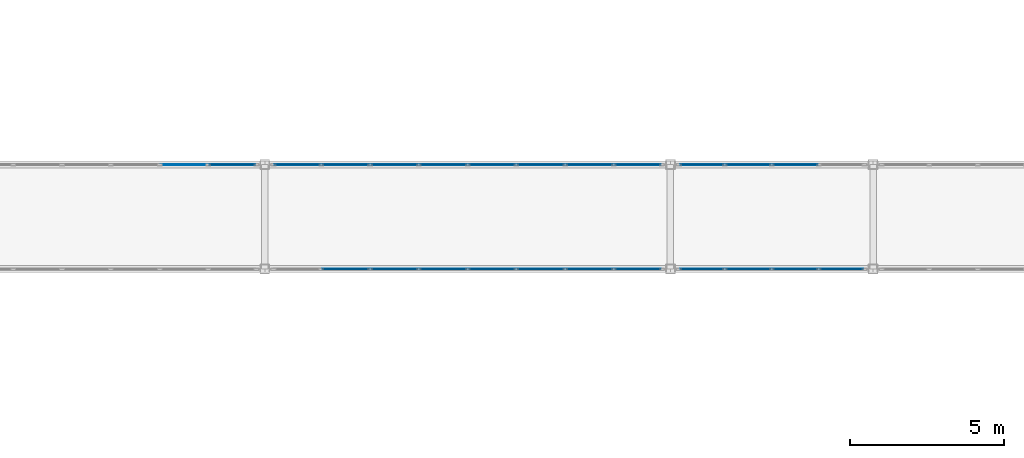
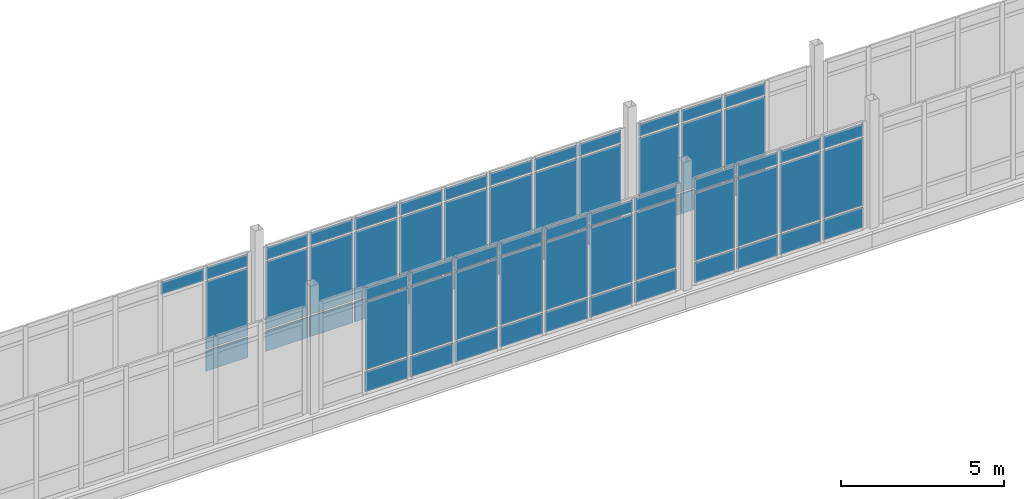
# One storey, part 71 of 125: 70 plates, 5 elements without a shape of their own.
"""IFC4 building model written with IfcOpenShell, lengths in metres."""

from ifc_helpers import new_model, si_unit, direction, frame, origin, origin_2d, place, context, subcontext, project, spatial, rectangle, extrude, material, layer, layer_set, type_object, element, aggregate, save


model = new_model("IFC4")

# Units and contexts
model_context = context("Model", 3, precision=1e-05, world=origin(), true_north=direction((0.0, 1.0)))
body_context = subcontext(model_context, "Body", "Model", "MODEL_VIEW")
ifc_project = project(units=[si_unit("LENGTHUNIT", "METRE"), si_unit("AREAUNIT", "SQUARE_METRE"), si_unit("VOLUMEUNIT", "CUBIC_METRE"), si_unit("PLANEANGLEUNIT", "RADIAN"), si_unit("MASSUNIT", "GRAM", prefix="KILO")], contexts=[model_context])

# Site, building, storey
site_placement = place(None, origin())
site = spatial("IfcSite", under=ifc_project, at=site_placement, CompositionType="ELEMENT")
building_placement = place(site_placement, origin())
building = spatial("IfcBuilding", under=site, at=building_placement, Name="Dornvale Research Institute", CompositionType="ELEMENT")
storey_placement = place(building_placement, frame((0.0, 0.0, 5.39990234375)))
storey = spatial("IfcBuildingStorey", under=building, at=storey_placement, Name="L01", CompositionType="ELEMENT", Elevation=5.39990234375)

# Curtain wall, plate
ifc_material_1 = material(Name="Low-E Argon Double Insulating Glazing Unit", Category="glass")
curtain_wall_type_1 = type_object("IfcCurtainWallType", Name="UnitisedCurtainWall_V2_12700x4000", PredefinedType="USERDEFINED", material=ifc_material_1)
curtain_wall_1_placement = place(storey_placement, origin())
curtain_wall_1 = element("IfcCurtainWall", 1, at=curtain_wall_1_placement, inside=storey, type_object=curtain_wall_type_1, Name="L01 V2 unitised curtain wall CW-42 #215", ObjectType="UNITISED CURTAIN WALL", PredefinedType="USERDEFINED")
ifc_material_2 = material(Name="Insulated Ceramic-Frit Spandrel Glass Panel", Category="glass")
ifc_layer_1 = layer(ifc_material_2, 0.0419921875)
ifc_layer_set_1 = layer_set([ifc_layer_1], Name="Insulated Ceramic-Frit Spandrel Glass Panel")
plate_type_1 = type_object("IfcPlateType", Name="CurtainPanel_Spandrel_42", PredefinedType="CURTAIN_PANEL", material=ifc_layer_set_1)
plate_1_placement = place(storey_placement, frame((84.739990234375, 116.5, 0.065185546875), z_axis=(0.0, 0.0, 1.0), x_axis=(1.0, 0.0, 0.0)))
plate_1 = element("IfcPlate", 2, at=plate_1_placement, type_object=plate_type_1, Name="CW-42 panel 8.1", PredefinedType="CURTAIN_PANEL", context=body_context, shape_type="SweptSolid", body=[
    extrude(rectangle(XDim=1.489990234375, YDim=0.0419921875, at=origin_2d()), origin(), (0.0, 0.0, 1.0), 0.75244140625),
])

# Curtain wall, plates
curtain_wall_2_placement = place(storey_placement, origin())
curtain_wall_2 = element("IfcCurtainWall", 3, at=curtain_wall_2_placement, inside=storey, type_object=curtain_wall_type_1, Name="L01 V2 unitised curtain wall CW-42 #217", ObjectType="UNITISED CURTAIN WALL", PredefinedType="USERDEFINED")
plate_2_placement = place(storey_placement, frame((86.860107421875, 116.5, 0.065185546875), z_axis=(0.0, 0.0, 1.0), x_axis=(1.0, 0.0, 0.0)))
plate_2 = element("IfcPlate", 4, at=plate_2_placement, type_object=plate_type_1, Name="CW-42 panel 1.1", PredefinedType="CURTAIN_PANEL", context=body_context, shape_type="SweptSolid", body=[
    extrude(rectangle(XDim=1.489990234375, YDim=0.0419921875, at=origin_2d()), origin(), (0.0, 0.0, 1.0), 0.75244140625),
])
plate_3_placement = place(storey_placement, frame((88.43115234375, 116.5, 0.065185546875), z_axis=(0.0, 0.0, 1.0), x_axis=(1.0, 0.0, 0.0)))
plate_3 = element("IfcPlate", 5, at=plate_3_placement, type_object=plate_type_1, Name="CW-42 panel 2.1", PredefinedType="CURTAIN_PANEL", context=body_context, shape_type="SweptSolid", body=[
    extrude(rectangle(XDim=1.5224609375, YDim=0.0419921875, at=origin_2d()), origin(), (0.0, 0.0, 1.0), 0.75244140625),
])
plate_4_placement = place(storey_placement, frame((90.018798828125, 116.5, 0.065185546875), z_axis=(0.0, 0.0, 1.0), x_axis=(1.0, 0.0, 0.0)))
plate_4 = element("IfcPlate", 6, at=plate_4_placement, type_object=plate_type_1, Name="CW-42 panel 3.1", PredefinedType="CURTAIN_PANEL", context=body_context, shape_type="SweptSolid", body=[
    extrude(rectangle(XDim=1.5224609375, YDim=0.0419921875, at=origin_2d()), origin(), (0.0, 0.0, 1.0), 0.75244140625),
])
plate_5_placement = place(storey_placement, frame((91.606201171875, 116.5, 0.065185546875), z_axis=(0.0, 0.0, 1.0), x_axis=(1.0, 0.0, 0.0)))
plate_5 = element("IfcPlate", 7, at=plate_5_placement, type_object=plate_type_1, Name="CW-42 panel 4.1", PredefinedType="CURTAIN_PANEL", context=body_context, shape_type="SweptSolid", body=[
    extrude(rectangle(XDim=1.5224609375, YDim=0.0419921875, at=origin_2d()), origin(), (0.0, 0.0, 1.0), 0.75244140625),
])
plate_6_placement = place(storey_placement, frame((93.19384765625, 116.5, 0.065185546875), z_axis=(0.0, 0.0, 1.0), x_axis=(1.0, 0.0, 0.0)))
plate_6 = element("IfcPlate", 8, at=plate_6_placement, type_object=plate_type_1, Name="CW-42 panel 5.1", PredefinedType="CURTAIN_PANEL", context=body_context, shape_type="SweptSolid", body=[
    extrude(rectangle(XDim=1.5224609375, YDim=0.0419921875, at=origin_2d()), origin(), (0.0, 0.0, 1.0), 0.75244140625),
])
plate_7_placement = place(storey_placement, frame((94.78125, 116.5, 0.065185546875), z_axis=(0.0, 0.0, 1.0), x_axis=(1.0, 0.0, 0.0)))
plate_7 = element("IfcPlate", 9, at=plate_7_placement, type_object=plate_type_1, Name="CW-42 panel 6.1", PredefinedType="CURTAIN_PANEL", context=body_context, shape_type="SweptSolid", body=[
    extrude(rectangle(XDim=1.5224609375, YDim=0.0419921875, at=origin_2d()), origin(), (0.0, 0.0, 1.0), 0.75244140625),
])
plate_8_placement = place(storey_placement, frame((96.36865234375, 116.5, 0.065185546875), z_axis=(0.0, 0.0, 1.0), x_axis=(1.0, 0.0, 0.0)))
plate_8 = element("IfcPlate", 10, at=plate_8_placement, type_object=plate_type_1, Name="CW-42 panel 7.1", PredefinedType="CURTAIN_PANEL", context=body_context, shape_type="SweptSolid", body=[
    extrude(rectangle(XDim=1.5224609375, YDim=0.0419921875, at=origin_2d()), origin(), (0.0, 0.0, 1.0), 0.75244140625),
])
plate_9_placement = place(storey_placement, frame((97.93994140625, 116.5, 0.065185546875), z_axis=(0.0, 0.0, 1.0), x_axis=(1.0, 0.0, 0.0)))
plate_9 = element("IfcPlate", 11, at=plate_9_placement, type_object=plate_type_1, Name="CW-42 panel 8.1", PredefinedType="CURTAIN_PANEL", context=body_context, shape_type="SweptSolid", body=[
    extrude(rectangle(XDim=1.489990234375, YDim=0.0419921875, at=origin_2d()), origin(), (0.0, 0.0, 1.0), 0.75244140625),
])

curtain_wall_3_placement = place(storey_placement, origin())
curtain_wall_3 = element("IfcCurtainWall", 12, at=curtain_wall_3_placement, inside=storey, type_object=curtain_wall_type_1, Name="L01 V2 unitised curtain wall CW-42 #218", ObjectType="UNITISED CURTAIN WALL", PredefinedType="USERDEFINED")
plate_10_placement = place(storey_placement, frame((97.93994140625, 113.10009765625, 0.065185546875), z_axis=(0.0, 0.0, 1.0), x_axis=(-1.0, 0.0, 0.0)))
plate_10 = element("IfcPlate", 13, at=plate_10_placement, type_object=plate_type_1, Name="CW-42 panel 1.1", PredefinedType="CURTAIN_PANEL", context=body_context, shape_type="SweptSolid", body=[
    extrude(rectangle(XDim=1.489990234375, YDim=0.0419921875, at=origin_2d()), origin(), (0.0, 0.0, 1.0), 0.75244140625),
])
plate_11_placement = place(storey_placement, frame((96.36865234375, 113.10009765625, 0.065185546875), z_axis=(0.0, 0.0, 1.0), x_axis=(-1.0, 0.0, 0.0)))
plate_11 = element("IfcPlate", 14, at=plate_11_placement, type_object=plate_type_1, Name="CW-42 panel 2.1", PredefinedType="CURTAIN_PANEL", context=body_context, shape_type="SweptSolid", body=[
    extrude(rectangle(XDim=1.5224609375, YDim=0.0419921875, at=origin_2d()), origin(), (0.0, 0.0, 1.0), 0.75244140625),
])
plate_12_placement = place(storey_placement, frame((94.78125, 113.10009765625, 0.065185546875), z_axis=(0.0, 0.0, 1.0), x_axis=(-1.0, 0.0, 0.0)))
plate_12 = element("IfcPlate", 15, at=plate_12_placement, type_object=plate_type_1, Name="CW-42 panel 3.1", PredefinedType="CURTAIN_PANEL", context=body_context, shape_type="SweptSolid", body=[
    extrude(rectangle(XDim=1.5224609375, YDim=0.0419921875, at=origin_2d()), origin(), (0.0, 0.0, 1.0), 0.75244140625),
])
plate_13_placement = place(storey_placement, frame((93.19384765625, 113.10009765625, 0.065185546875), z_axis=(0.0, 0.0, 1.0), x_axis=(-1.0, 0.0, 0.0)))
plate_13 = element("IfcPlate", 16, at=plate_13_placement, type_object=plate_type_1, Name="CW-42 panel 4.1", PredefinedType="CURTAIN_PANEL", context=body_context, shape_type="SweptSolid", body=[
    extrude(rectangle(XDim=1.5224609375, YDim=0.0419921875, at=origin_2d()), origin(), (0.0, 0.0, 1.0), 0.75244140625),
])
plate_14_placement = place(storey_placement, frame((91.606201171875, 113.10009765625, 0.065185546875), z_axis=(0.0, 0.0, 1.0), x_axis=(-1.0, 0.0, 0.0)))
plate_14 = element("IfcPlate", 17, at=plate_14_placement, type_object=plate_type_1, Name="CW-42 panel 5.1", PredefinedType="CURTAIN_PANEL", context=body_context, shape_type="SweptSolid", body=[
    extrude(rectangle(XDim=1.5224609375, YDim=0.0419921875, at=origin_2d()), origin(), (0.0, 0.0, 1.0), 0.75244140625),
])
plate_15_placement = place(storey_placement, frame((90.018798828125, 113.10009765625, 0.065185546875), z_axis=(0.0, 0.0, 1.0), x_axis=(-1.0, 0.0, 0.0)))
plate_15 = element("IfcPlate", 18, at=plate_15_placement, type_object=plate_type_1, Name="CW-42 panel 6.1", PredefinedType="CURTAIN_PANEL", context=body_context, shape_type="SweptSolid", body=[
    extrude(rectangle(XDim=1.5224609375, YDim=0.0419921875, at=origin_2d()), origin(), (0.0, 0.0, 1.0), 0.75244140625),
])
plate_16_placement = place(storey_placement, frame((88.43115234375, 113.10009765625, 0.065185546875), z_axis=(0.0, 0.0, 1.0), x_axis=(-1.0, 0.0, 0.0)))
plate_16 = element("IfcPlate", 19, at=plate_16_placement, type_object=plate_type_1, Name="CW-42 panel 7.1", PredefinedType="CURTAIN_PANEL", context=body_context, shape_type="SweptSolid", body=[
    extrude(rectangle(XDim=1.5224609375, YDim=0.0419921875, at=origin_2d()), origin(), (0.0, 0.0, 1.0), 0.75244140625),
])

ifc_material_3 = material(Name="Low-E Argon Double Insulating Glazing Unit", Category="glass")
curtain_wall_type_2 = type_object("IfcCurtainWallType", Name="UnitisedCurtainWall_V2_6100x4000", PredefinedType="USERDEFINED", material=ifc_material_3)
curtain_wall_4_placement = place(storey_placement, origin())
curtain_wall_4 = element("IfcCurtainWall", 20, at=curtain_wall_4_placement, inside=storey, type_object=curtain_wall_type_2, Name="L01 V2 unitised curtain wall CW-43 #219", ObjectType="UNITISED CURTAIN WALL", PredefinedType="USERDEFINED")
plate_17_placement = place(storey_placement, frame((100.02880859375, 116.5, 0.065185546875), z_axis=(0.0, 0.0, 1.0), x_axis=(1.0, 0.0, 0.0)))
plate_17 = element("IfcPlate", 21, at=plate_17_placement, type_object=plate_type_1, Name="CW-43 panel 1.1", PredefinedType="CURTAIN_PANEL", context=body_context, shape_type="SweptSolid", body=[
    extrude(rectangle(XDim=1.427490234375, YDim=0.0419921875, at=origin_2d()), origin(), (0.0, 0.0, 1.0), 0.75244140625),
])
plate_18_placement = place(storey_placement, frame((101.53759765625, 116.5, 0.065185546875), z_axis=(0.0, 0.0, 1.0), x_axis=(1.0, 0.0, 0.0)))
plate_18 = element("IfcPlate", 22, at=plate_18_placement, type_object=plate_type_1, Name="CW-43 panel 2.1", PredefinedType="CURTAIN_PANEL", context=body_context, shape_type="SweptSolid", body=[
    extrude(rectangle(XDim=1.4599609375, YDim=0.0419921875, at=origin_2d()), origin(), (0.0, 0.0, 1.0), 0.75244140625),
])
plate_19_placement = place(storey_placement, frame((103.0625, 116.5, 0.065185546875), z_axis=(0.0, 0.0, 1.0), x_axis=(1.0, 0.0, 0.0)))
plate_19 = element("IfcPlate", 23, at=plate_19_placement, type_object=plate_type_1, Name="CW-43 panel 3.1", PredefinedType="CURTAIN_PANEL", context=body_context, shape_type="SweptSolid", body=[
    extrude(rectangle(XDim=1.4599609375, YDim=0.0419921875, at=origin_2d()), origin(), (0.0, 0.0, 1.0), 0.75244140625),
])

curtain_wall_5_placement = place(storey_placement, origin())
curtain_wall_5 = element("IfcCurtainWall", 24, at=curtain_wall_5_placement, inside=storey, type_object=curtain_wall_type_2, Name="L01 V2 unitised curtain wall CW-43 #220", ObjectType="UNITISED CURTAIN WALL", PredefinedType="USERDEFINED")
plate_20_placement = place(storey_placement, frame((104.5712890625, 113.10009765625, 0.065185546875), z_axis=(0.0, 0.0, 1.0), x_axis=(-1.0, 0.0, 0.0)))
plate_20 = element("IfcPlate", 25, at=plate_20_placement, type_object=plate_type_1, Name="CW-43 panel 1.1", PredefinedType="CURTAIN_PANEL", context=body_context, shape_type="SweptSolid", body=[
    extrude(rectangle(XDim=1.427490234375, YDim=0.0419921875, at=origin_2d()), origin(), (0.0, 0.0, 1.0), 0.75244140625),
])
plate_21_placement = place(storey_placement, frame((103.0625, 113.10009765625, 0.065185546875), z_axis=(0.0, 0.0, 1.0), x_axis=(-1.0, 0.0, 0.0)))
plate_21 = element("IfcPlate", 26, at=plate_21_placement, type_object=plate_type_1, Name="CW-43 panel 2.1", PredefinedType="CURTAIN_PANEL", context=body_context, shape_type="SweptSolid", body=[
    extrude(rectangle(XDim=1.4599609375, YDim=0.0419921875, at=origin_2d()), origin(), (0.0, 0.0, 1.0), 0.75244140625),
])
plate_22_placement = place(storey_placement, frame((101.53759765625, 113.10009765625, 0.065185546875), z_axis=(0.0, 0.0, 1.0), x_axis=(-1.0, 0.0, 0.0)))
plate_22 = element("IfcPlate", 27, at=plate_22_placement, type_object=plate_type_1, Name="CW-43 panel 3.1", PredefinedType="CURTAIN_PANEL", context=body_context, shape_type="SweptSolid", body=[
    extrude(rectangle(XDim=1.4599609375, YDim=0.0419921875, at=origin_2d()), origin(), (0.0, 0.0, 1.0), 0.75244140625),
])
plate_23_placement = place(storey_placement, frame((100.02880859375, 113.10009765625, 0.065185546875), z_axis=(0.0, 0.0, 1.0), x_axis=(-1.0, 0.0, 0.0)))
plate_23 = element("IfcPlate", 28, at=plate_23_placement, type_object=plate_type_1, Name="CW-43 panel 4.1", PredefinedType="CURTAIN_PANEL", context=body_context, shape_type="SweptSolid", body=[
    extrude(rectangle(XDim=1.427490234375, YDim=0.0419921875, at=origin_2d()), origin(), (0.0, 0.0, 1.0), 0.75244140625),
])

# Plate
ifc_material_4 = material(Name="Low-E Argon Double Insulating Glazing Unit", Category="glass")
ifc_layer_2 = layer(ifc_material_4, 0.028076171875)
ifc_layer_set_2 = layer_set([ifc_layer_2], Name="Low-E Argon Double Insulating Glazing Unit")
plate_type_2 = type_object("IfcPlateType", Name="CurtainPanel_Vision_28", PredefinedType="CURTAIN_PANEL", material=ifc_layer_set_2)
plate_24_placement = place(storey_placement, frame((83.168701171875, 116.5, 3.482421875), z_axis=(0.0, 0.0, 1.0), x_axis=(1.0, 0.0, 0.0)))
plate_24 = element("IfcPlate", 29, at=plate_24_placement, type_object=plate_type_2, Name="CW-42 panel 7.3", PredefinedType="CURTAIN_PANEL", context=body_context, shape_type="SweptSolid", body=[
    extrude(rectangle(XDim=1.5224609375, YDim=0.028076171875, at=origin_2d()), origin(), (0.0, 0.0, 1.0), 0.452392578125),
])

plate_25_placement = place(storey_placement, frame((84.739990234375, 116.5, 0.8828125), z_axis=(0.0, 0.0, 1.0), x_axis=(1.0, 0.0, 0.0)))
plate_25 = element("IfcPlate", 30, at=plate_25_placement, type_object=plate_type_2, Name="CW-42 panel 8.2", PredefinedType="CURTAIN_PANEL", context=body_context, shape_type="SweptSolid", body=[
    extrude(rectangle(XDim=1.489990234375, YDim=0.028076171875, at=origin_2d()), origin(), (0.0, 0.0, 1.0), 2.534912109375),
])

plate_26_placement = place(storey_placement, frame((84.739990234375, 116.5, 3.482421875), z_axis=(0.0, 0.0, 1.0), x_axis=(1.0, 0.0, 0.0)))
plate_26 = element("IfcPlate", 31, at=plate_26_placement, type_object=plate_type_2, Name="CW-42 panel 8.3", PredefinedType="CURTAIN_PANEL", context=body_context, shape_type="SweptSolid", body=[
    extrude(rectangle(XDim=1.489990234375, YDim=0.028076171875, at=origin_2d()), origin(), (0.0, 0.0, 1.0), 0.452392578125),
])

aggregate(curtain_wall_1, [plate_24, plate_1, plate_25, plate_26])

plate_27_placement = place(storey_placement, frame((86.860107421875, 116.5, 0.8828125), z_axis=(0.0, 0.0, 1.0), x_axis=(1.0, 0.0, 0.0)))
plate_27 = element("IfcPlate", 32, at=plate_27_placement, type_object=plate_type_2, Name="CW-42 panel 1.2", PredefinedType="CURTAIN_PANEL", context=body_context, shape_type="SweptSolid", body=[
    extrude(rectangle(XDim=1.489990234375, YDim=0.028076171875, at=origin_2d()), origin(), (0.0, 0.0, 1.0), 2.534912109375),
])

plate_28_placement = place(storey_placement, frame((86.860107421875, 116.5, 3.482421875), z_axis=(0.0, 0.0, 1.0), x_axis=(1.0, 0.0, 0.0)))
plate_28 = element("IfcPlate", 33, at=plate_28_placement, type_object=plate_type_2, Name="CW-42 panel 1.3", PredefinedType="CURTAIN_PANEL", context=body_context, shape_type="SweptSolid", body=[
    extrude(rectangle(XDim=1.489990234375, YDim=0.028076171875, at=origin_2d()), origin(), (0.0, 0.0, 1.0), 0.452392578125),
])

plate_29_placement = place(storey_placement, frame((88.43115234375, 116.5, 0.8828125), z_axis=(0.0, 0.0, 1.0), x_axis=(1.0, 0.0, 0.0)))
plate_29 = element("IfcPlate", 34, at=plate_29_placement, type_object=plate_type_2, Name="CW-42 panel 2.2", PredefinedType="CURTAIN_PANEL", context=body_context, shape_type="SweptSolid", body=[
    extrude(rectangle(XDim=1.5224609375, YDim=0.028076171875, at=origin_2d()), origin(), (0.0, 0.0, 1.0), 2.534912109375),
])

plate_30_placement = place(storey_placement, frame((88.43115234375, 116.5, 3.482421875), z_axis=(0.0, 0.0, 1.0), x_axis=(1.0, 0.0, 0.0)))
plate_30 = element("IfcPlate", 35, at=plate_30_placement, type_object=plate_type_2, Name="CW-42 panel 2.3", PredefinedType="CURTAIN_PANEL", context=body_context, shape_type="SweptSolid", body=[
    extrude(rectangle(XDim=1.5224609375, YDim=0.028076171875, at=origin_2d()), origin(), (0.0, 0.0, 1.0), 0.452392578125),
])

plate_31_placement = place(storey_placement, frame((90.018798828125, 116.5, 0.8828125), z_axis=(0.0, 0.0, 1.0), x_axis=(1.0, 0.0, 0.0)))
plate_31 = element("IfcPlate", 36, at=plate_31_placement, type_object=plate_type_2, Name="CW-42 panel 3.2", PredefinedType="CURTAIN_PANEL", context=body_context, shape_type="SweptSolid", body=[
    extrude(rectangle(XDim=1.5224609375, YDim=0.028076171875, at=origin_2d()), origin(), (0.0, 0.0, 1.0), 2.534912109375),
])

plate_32_placement = place(storey_placement, frame((90.018798828125, 116.5, 3.482421875), z_axis=(0.0, 0.0, 1.0), x_axis=(1.0, 0.0, 0.0)))
plate_32 = element("IfcPlate", 37, at=plate_32_placement, type_object=plate_type_2, Name="CW-42 panel 3.3", PredefinedType="CURTAIN_PANEL", context=body_context, shape_type="SweptSolid", body=[
    extrude(rectangle(XDim=1.5224609375, YDim=0.028076171875, at=origin_2d()), origin(), (0.0, 0.0, 1.0), 0.452392578125),
])

plate_33_placement = place(storey_placement, frame((91.606201171875, 116.5, 0.8828125), z_axis=(0.0, 0.0, 1.0), x_axis=(1.0, 0.0, 0.0)))
plate_33 = element("IfcPlate", 38, at=plate_33_placement, type_object=plate_type_2, Name="CW-42 panel 4.2", PredefinedType="CURTAIN_PANEL", context=body_context, shape_type="SweptSolid", body=[
    extrude(rectangle(XDim=1.5224609375, YDim=0.028076171875, at=origin_2d()), origin(), (0.0, 0.0, 1.0), 2.534912109375),
])

plate_34_placement = place(storey_placement, frame((91.606201171875, 116.5, 3.482421875), z_axis=(0.0, 0.0, 1.0), x_axis=(1.0, 0.0, 0.0)))
plate_34 = element("IfcPlate", 39, at=plate_34_placement, type_object=plate_type_2, Name="CW-42 panel 4.3", PredefinedType="CURTAIN_PANEL", context=body_context, shape_type="SweptSolid", body=[
    extrude(rectangle(XDim=1.5224609375, YDim=0.028076171875, at=origin_2d()), origin(), (0.0, 0.0, 1.0), 0.452392578125),
])

plate_35_placement = place(storey_placement, frame((93.19384765625, 116.5, 0.8828125), z_axis=(0.0, 0.0, 1.0), x_axis=(1.0, 0.0, 0.0)))
plate_35 = element("IfcPlate", 40, at=plate_35_placement, type_object=plate_type_2, Name="CW-42 panel 5.2", PredefinedType="CURTAIN_PANEL", context=body_context, shape_type="SweptSolid", body=[
    extrude(rectangle(XDim=1.5224609375, YDim=0.028076171875, at=origin_2d()), origin(), (0.0, 0.0, 1.0), 2.534912109375),
])

plate_36_placement = place(storey_placement, frame((93.19384765625, 116.5, 3.482421875), z_axis=(0.0, 0.0, 1.0), x_axis=(1.0, 0.0, 0.0)))
plate_36 = element("IfcPlate", 41, at=plate_36_placement, type_object=plate_type_2, Name="CW-42 panel 5.3", PredefinedType="CURTAIN_PANEL", context=body_context, shape_type="SweptSolid", body=[
    extrude(rectangle(XDim=1.5224609375, YDim=0.028076171875, at=origin_2d()), origin(), (0.0, 0.0, 1.0), 0.452392578125),
])

plate_37_placement = place(storey_placement, frame((94.78125, 116.5, 0.8828125), z_axis=(0.0, 0.0, 1.0), x_axis=(1.0, 0.0, 0.0)))
plate_37 = element("IfcPlate", 42, at=plate_37_placement, type_object=plate_type_2, Name="CW-42 panel 6.2", PredefinedType="CURTAIN_PANEL", context=body_context, shape_type="SweptSolid", body=[
    extrude(rectangle(XDim=1.5224609375, YDim=0.028076171875, at=origin_2d()), origin(), (0.0, 0.0, 1.0), 2.534912109375),
])

plate_38_placement = place(storey_placement, frame((94.78125, 116.5, 3.482421875), z_axis=(0.0, 0.0, 1.0), x_axis=(1.0, 0.0, 0.0)))
plate_38 = element("IfcPlate", 43, at=plate_38_placement, type_object=plate_type_2, Name="CW-42 panel 6.3", PredefinedType="CURTAIN_PANEL", context=body_context, shape_type="SweptSolid", body=[
    extrude(rectangle(XDim=1.5224609375, YDim=0.028076171875, at=origin_2d()), origin(), (0.0, 0.0, 1.0), 0.452392578125),
])

plate_39_placement = place(storey_placement, frame((96.36865234375, 116.5, 0.8828125), z_axis=(0.0, 0.0, 1.0), x_axis=(1.0, 0.0, 0.0)))
plate_39 = element("IfcPlate", 44, at=plate_39_placement, type_object=plate_type_2, Name="CW-42 panel 7.2", PredefinedType="CURTAIN_PANEL", context=body_context, shape_type="SweptSolid", body=[
    extrude(rectangle(XDim=1.5224609375, YDim=0.028076171875, at=origin_2d()), origin(), (0.0, 0.0, 1.0), 2.534912109375),
])

plate_40_placement = place(storey_placement, frame((96.36865234375, 116.5, 3.482421875), z_axis=(0.0, 0.0, 1.0), x_axis=(1.0, 0.0, 0.0)))
plate_40 = element("IfcPlate", 45, at=plate_40_placement, type_object=plate_type_2, Name="CW-42 panel 7.3", PredefinedType="CURTAIN_PANEL", context=body_context, shape_type="SweptSolid", body=[
    extrude(rectangle(XDim=1.5224609375, YDim=0.028076171875, at=origin_2d()), origin(), (0.0, 0.0, 1.0), 0.452392578125),
])

plate_41_placement = place(storey_placement, frame((97.93994140625, 116.5, 0.8828125), z_axis=(0.0, 0.0, 1.0), x_axis=(1.0, 0.0, 0.0)))
plate_41 = element("IfcPlate", 46, at=plate_41_placement, type_object=plate_type_2, Name="CW-42 panel 8.2", PredefinedType="CURTAIN_PANEL", context=body_context, shape_type="SweptSolid", body=[
    extrude(rectangle(XDim=1.489990234375, YDim=0.028076171875, at=origin_2d()), origin(), (0.0, 0.0, 1.0), 2.534912109375),
])

plate_42_placement = place(storey_placement, frame((97.93994140625, 116.5, 3.482421875), z_axis=(0.0, 0.0, 1.0), x_axis=(1.0, 0.0, 0.0)))
plate_42 = element("IfcPlate", 47, at=plate_42_placement, type_object=plate_type_2, Name="CW-42 panel 8.3", PredefinedType="CURTAIN_PANEL", context=body_context, shape_type="SweptSolid", body=[
    extrude(rectangle(XDim=1.489990234375, YDim=0.028076171875, at=origin_2d()), origin(), (0.0, 0.0, 1.0), 0.452392578125),
])

aggregate(curtain_wall_2, [plate_2, plate_27, plate_28, plate_3, plate_29, plate_30, plate_4, plate_31, plate_32, plate_5, plate_33, plate_34, plate_6, plate_35, plate_36, plate_7, plate_37, plate_38, plate_8, plate_39, plate_40, plate_9, plate_41, plate_42])

plate_43_placement = place(storey_placement, frame((97.93994140625, 113.10009765625, 0.8828125), z_axis=(0.0, 0.0, 1.0), x_axis=(-1.0, 0.0, 0.0)))
plate_43 = element("IfcPlate", 48, at=plate_43_placement, type_object=plate_type_2, Name="CW-42 panel 1.2", PredefinedType="CURTAIN_PANEL", context=body_context, shape_type="SweptSolid", body=[
    extrude(rectangle(XDim=1.489990234375, YDim=0.028076171875, at=origin_2d()), origin(), (0.0, 0.0, 1.0), 2.534912109375),
])

plate_44_placement = place(storey_placement, frame((97.93994140625, 113.10009765625, 3.482421875), z_axis=(0.0, 0.0, 1.0), x_axis=(-1.0, 0.0, 0.0)))
plate_44 = element("IfcPlate", 49, at=plate_44_placement, type_object=plate_type_2, Name="CW-42 panel 1.3", PredefinedType="CURTAIN_PANEL", context=body_context, shape_type="SweptSolid", body=[
    extrude(rectangle(XDim=1.489990234375, YDim=0.028076171875, at=origin_2d()), origin(), (0.0, 0.0, 1.0), 0.452392578125),
])

plate_45_placement = place(storey_placement, frame((96.36865234375, 113.10009765625, 0.8828125), z_axis=(0.0, 0.0, 1.0), x_axis=(-1.0, 0.0, 0.0)))
plate_45 = element("IfcPlate", 50, at=plate_45_placement, type_object=plate_type_2, Name="CW-42 panel 2.2", PredefinedType="CURTAIN_PANEL", context=body_context, shape_type="SweptSolid", body=[
    extrude(rectangle(XDim=1.5224609375, YDim=0.028076171875, at=origin_2d()), origin(), (0.0, 0.0, 1.0), 2.534912109375),
])

plate_46_placement = place(storey_placement, frame((96.36865234375, 113.10009765625, 3.482421875), z_axis=(0.0, 0.0, 1.0), x_axis=(-1.0, 0.0, 0.0)))
plate_46 = element("IfcPlate", 51, at=plate_46_placement, type_object=plate_type_2, Name="CW-42 panel 2.3", PredefinedType="CURTAIN_PANEL", context=body_context, shape_type="SweptSolid", body=[
    extrude(rectangle(XDim=1.5224609375, YDim=0.028076171875, at=origin_2d()), origin(), (0.0, 0.0, 1.0), 0.452392578125),
])

plate_47_placement = place(storey_placement, frame((94.78125, 113.10009765625, 0.8828125), z_axis=(0.0, 0.0, 1.0), x_axis=(-1.0, 0.0, 0.0)))
plate_47 = element("IfcPlate", 52, at=plate_47_placement, type_object=plate_type_2, Name="CW-42 panel 3.2", PredefinedType="CURTAIN_PANEL", context=body_context, shape_type="SweptSolid", body=[
    extrude(rectangle(XDim=1.5224609375, YDim=0.028076171875, at=origin_2d()), origin(), (0.0, 0.0, 1.0), 2.534912109375),
])

plate_48_placement = place(storey_placement, frame((94.78125, 113.10009765625, 3.482421875), z_axis=(0.0, 0.0, 1.0), x_axis=(-1.0, 0.0, 0.0)))
plate_48 = element("IfcPlate", 53, at=plate_48_placement, type_object=plate_type_2, Name="CW-42 panel 3.3", PredefinedType="CURTAIN_PANEL", context=body_context, shape_type="SweptSolid", body=[
    extrude(rectangle(XDim=1.5224609375, YDim=0.028076171875, at=origin_2d()), origin(), (0.0, 0.0, 1.0), 0.452392578125),
])

plate_49_placement = place(storey_placement, frame((93.19384765625, 113.10009765625, 0.8828125), z_axis=(0.0, 0.0, 1.0), x_axis=(-1.0, 0.0, 0.0)))
plate_49 = element("IfcPlate", 54, at=plate_49_placement, type_object=plate_type_2, Name="CW-42 panel 4.2", PredefinedType="CURTAIN_PANEL", context=body_context, shape_type="SweptSolid", body=[
    extrude(rectangle(XDim=1.5224609375, YDim=0.028076171875, at=origin_2d()), origin(), (0.0, 0.0, 1.0), 2.534912109375),
])

plate_50_placement = place(storey_placement, frame((93.19384765625, 113.10009765625, 3.482421875), z_axis=(0.0, 0.0, 1.0), x_axis=(-1.0, 0.0, 0.0)))
plate_50 = element("IfcPlate", 55, at=plate_50_placement, type_object=plate_type_2, Name="CW-42 panel 4.3", PredefinedType="CURTAIN_PANEL", context=body_context, shape_type="SweptSolid", body=[
    extrude(rectangle(XDim=1.5224609375, YDim=0.028076171875, at=origin_2d()), origin(), (0.0, 0.0, 1.0), 0.452392578125),
])

plate_51_placement = place(storey_placement, frame((91.606201171875, 113.10009765625, 0.8828125), z_axis=(0.0, 0.0, 1.0), x_axis=(-1.0, 0.0, 0.0)))
plate_51 = element("IfcPlate", 56, at=plate_51_placement, type_object=plate_type_2, Name="CW-42 panel 5.2", PredefinedType="CURTAIN_PANEL", context=body_context, shape_type="SweptSolid", body=[
    extrude(rectangle(XDim=1.5224609375, YDim=0.028076171875, at=origin_2d()), origin(), (0.0, 0.0, 1.0), 2.534912109375),
])

plate_52_placement = place(storey_placement, frame((91.606201171875, 113.10009765625, 3.482421875), z_axis=(0.0, 0.0, 1.0), x_axis=(-1.0, 0.0, 0.0)))
plate_52 = element("IfcPlate", 57, at=plate_52_placement, type_object=plate_type_2, Name="CW-42 panel 5.3", PredefinedType="CURTAIN_PANEL", context=body_context, shape_type="SweptSolid", body=[
    extrude(rectangle(XDim=1.5224609375, YDim=0.028076171875, at=origin_2d()), origin(), (0.0, 0.0, 1.0), 0.452392578125),
])

plate_53_placement = place(storey_placement, frame((90.018798828125, 113.10009765625, 0.8828125), z_axis=(0.0, 0.0, 1.0), x_axis=(-1.0, 0.0, 0.0)))
plate_53 = element("IfcPlate", 58, at=plate_53_placement, type_object=plate_type_2, Name="CW-42 panel 6.2", PredefinedType="CURTAIN_PANEL", context=body_context, shape_type="SweptSolid", body=[
    extrude(rectangle(XDim=1.5224609375, YDim=0.028076171875, at=origin_2d()), origin(), (0.0, 0.0, 1.0), 2.534912109375),
])

plate_54_placement = place(storey_placement, frame((90.018798828125, 113.10009765625, 3.482421875), z_axis=(0.0, 0.0, 1.0), x_axis=(-1.0, 0.0, 0.0)))
plate_54 = element("IfcPlate", 59, at=plate_54_placement, type_object=plate_type_2, Name="CW-42 panel 6.3", PredefinedType="CURTAIN_PANEL", context=body_context, shape_type="SweptSolid", body=[
    extrude(rectangle(XDim=1.5224609375, YDim=0.028076171875, at=origin_2d()), origin(), (0.0, 0.0, 1.0), 0.452392578125),
])

plate_55_placement = place(storey_placement, frame((88.43115234375, 113.10009765625, 0.8828125), z_axis=(0.0, 0.0, 1.0), x_axis=(-1.0, 0.0, 0.0)))
plate_55 = element("IfcPlate", 60, at=plate_55_placement, type_object=plate_type_2, Name="CW-42 panel 7.2", PredefinedType="CURTAIN_PANEL", context=body_context, shape_type="SweptSolid", body=[
    extrude(rectangle(XDim=1.5224609375, YDim=0.028076171875, at=origin_2d()), origin(), (0.0, 0.0, 1.0), 2.534912109375),
])

plate_56_placement = place(storey_placement, frame((88.43115234375, 113.10009765625, 3.482421875), z_axis=(0.0, 0.0, 1.0), x_axis=(-1.0, 0.0, 0.0)))
plate_56 = element("IfcPlate", 61, at=plate_56_placement, type_object=plate_type_2, Name="CW-42 panel 7.3", PredefinedType="CURTAIN_PANEL", context=body_context, shape_type="SweptSolid", body=[
    extrude(rectangle(XDim=1.5224609375, YDim=0.028076171875, at=origin_2d()), origin(), (0.0, 0.0, 1.0), 0.452392578125),
])

aggregate(curtain_wall_3, [plate_10, plate_43, plate_44, plate_11, plate_45, plate_46, plate_12, plate_47, plate_48, plate_13, plate_49, plate_50, plate_14, plate_51, plate_52, plate_15, plate_53, plate_54, plate_16, plate_55, plate_56])

plate_57_placement = place(storey_placement, frame((100.02880859375, 116.5, 0.8828125), z_axis=(0.0, 0.0, 1.0), x_axis=(1.0, 0.0, 0.0)))
plate_57 = element("IfcPlate", 62, at=plate_57_placement, type_object=plate_type_2, Name="CW-43 panel 1.2", PredefinedType="CURTAIN_PANEL", context=body_context, shape_type="SweptSolid", body=[
    extrude(rectangle(XDim=1.427490234375, YDim=0.028076171875, at=origin_2d()), origin(), (0.0, 0.0, 1.0), 2.534912109375),
])

plate_58_placement = place(storey_placement, frame((100.02880859375, 116.5, 3.482421875), z_axis=(0.0, 0.0, 1.0), x_axis=(1.0, 0.0, 0.0)))
plate_58 = element("IfcPlate", 63, at=plate_58_placement, type_object=plate_type_2, Name="CW-43 panel 1.3", PredefinedType="CURTAIN_PANEL", context=body_context, shape_type="SweptSolid", body=[
    extrude(rectangle(XDim=1.427490234375, YDim=0.028076171875, at=origin_2d()), origin(), (0.0, 0.0, 1.0), 0.452392578125),
])

plate_59_placement = place(storey_placement, frame((101.53759765625, 116.5, 0.8828125), z_axis=(0.0, 0.0, 1.0), x_axis=(1.0, 0.0, 0.0)))
plate_59 = element("IfcPlate", 64, at=plate_59_placement, type_object=plate_type_2, Name="CW-43 panel 2.2", PredefinedType="CURTAIN_PANEL", context=body_context, shape_type="SweptSolid", body=[
    extrude(rectangle(XDim=1.4599609375, YDim=0.028076171875, at=origin_2d()), origin(), (0.0, 0.0, 1.0), 2.534912109375),
])

plate_60_placement = place(storey_placement, frame((101.53759765625, 116.5, 3.482421875), z_axis=(0.0, 0.0, 1.0), x_axis=(1.0, 0.0, 0.0)))
plate_60 = element("IfcPlate", 65, at=plate_60_placement, type_object=plate_type_2, Name="CW-43 panel 2.3", PredefinedType="CURTAIN_PANEL", context=body_context, shape_type="SweptSolid", body=[
    extrude(rectangle(XDim=1.4599609375, YDim=0.028076171875, at=origin_2d()), origin(), (0.0, 0.0, 1.0), 0.452392578125),
])

plate_61_placement = place(storey_placement, frame((103.0625, 116.5, 0.8828125), z_axis=(0.0, 0.0, 1.0), x_axis=(1.0, 0.0, 0.0)))
plate_61 = element("IfcPlate", 66, at=plate_61_placement, type_object=plate_type_2, Name="CW-43 panel 3.2", PredefinedType="CURTAIN_PANEL", context=body_context, shape_type="SweptSolid", body=[
    extrude(rectangle(XDim=1.4599609375, YDim=0.028076171875, at=origin_2d()), origin(), (0.0, 0.0, 1.0), 2.534912109375),
])

plate_62_placement = place(storey_placement, frame((103.0625, 116.5, 3.482421875), z_axis=(0.0, 0.0, 1.0), x_axis=(1.0, 0.0, 0.0)))
plate_62 = element("IfcPlate", 67, at=plate_62_placement, type_object=plate_type_2, Name="CW-43 panel 3.3", PredefinedType="CURTAIN_PANEL", context=body_context, shape_type="SweptSolid", body=[
    extrude(rectangle(XDim=1.4599609375, YDim=0.028076171875, at=origin_2d()), origin(), (0.0, 0.0, 1.0), 0.452392578125),
])

aggregate(curtain_wall_4, [plate_17, plate_57, plate_58, plate_18, plate_59, plate_60, plate_19, plate_61, plate_62])

plate_63_placement = place(storey_placement, frame((104.5712890625, 113.10009765625, 0.8828125), z_axis=(0.0, 0.0, 1.0), x_axis=(-1.0, 0.0, 0.0)))
plate_63 = element("IfcPlate", 68, at=plate_63_placement, type_object=plate_type_2, Name="CW-43 panel 1.2", PredefinedType="CURTAIN_PANEL", context=body_context, shape_type="SweptSolid", body=[
    extrude(rectangle(XDim=1.427490234375, YDim=0.028076171875, at=origin_2d()), origin(), (0.0, 0.0, 1.0), 2.534912109375),
])

plate_64_placement = place(storey_placement, frame((104.5712890625, 113.10009765625, 3.482421875), z_axis=(0.0, 0.0, 1.0), x_axis=(-1.0, 0.0, 0.0)))
plate_64 = element("IfcPlate", 69, at=plate_64_placement, type_object=plate_type_2, Name="CW-43 panel 1.3", PredefinedType="CURTAIN_PANEL", context=body_context, shape_type="SweptSolid", body=[
    extrude(rectangle(XDim=1.427490234375, YDim=0.028076171875, at=origin_2d()), origin(), (0.0, 0.0, 1.0), 0.452392578125),
])

plate_65_placement = place(storey_placement, frame((103.0625, 113.10009765625, 0.8828125), z_axis=(0.0, 0.0, 1.0), x_axis=(-1.0, 0.0, 0.0)))
plate_65 = element("IfcPlate", 70, at=plate_65_placement, type_object=plate_type_2, Name="CW-43 panel 2.2", PredefinedType="CURTAIN_PANEL", context=body_context, shape_type="SweptSolid", body=[
    extrude(rectangle(XDim=1.4599609375, YDim=0.028076171875, at=origin_2d()), origin(), (0.0, 0.0, 1.0), 2.534912109375),
])

plate_66_placement = place(storey_placement, frame((103.0625, 113.10009765625, 3.482421875), z_axis=(0.0, 0.0, 1.0), x_axis=(-1.0, 0.0, 0.0)))
plate_66 = element("IfcPlate", 71, at=plate_66_placement, type_object=plate_type_2, Name="CW-43 panel 2.3", PredefinedType="CURTAIN_PANEL", context=body_context, shape_type="SweptSolid", body=[
    extrude(rectangle(XDim=1.4599609375, YDim=0.028076171875, at=origin_2d()), origin(), (0.0, 0.0, 1.0), 0.452392578125),
])

plate_67_placement = place(storey_placement, frame((101.53759765625, 113.10009765625, 0.8828125), z_axis=(0.0, 0.0, 1.0), x_axis=(-1.0, 0.0, 0.0)))
plate_67 = element("IfcPlate", 72, at=plate_67_placement, type_object=plate_type_2, Name="CW-43 panel 3.2", PredefinedType="CURTAIN_PANEL", context=body_context, shape_type="SweptSolid", body=[
    extrude(rectangle(XDim=1.4599609375, YDim=0.028076171875, at=origin_2d()), origin(), (0.0, 0.0, 1.0), 2.534912109375),
])

plate_68_placement = place(storey_placement, frame((101.53759765625, 113.10009765625, 3.482421875), z_axis=(0.0, 0.0, 1.0), x_axis=(-1.0, 0.0, 0.0)))
plate_68 = element("IfcPlate", 73, at=plate_68_placement, type_object=plate_type_2, Name="CW-43 panel 3.3", PredefinedType="CURTAIN_PANEL", context=body_context, shape_type="SweptSolid", body=[
    extrude(rectangle(XDim=1.4599609375, YDim=0.028076171875, at=origin_2d()), origin(), (0.0, 0.0, 1.0), 0.452392578125),
])

plate_69_placement = place(storey_placement, frame((100.02880859375, 113.10009765625, 0.8828125), z_axis=(0.0, 0.0, 1.0), x_axis=(-1.0, 0.0, 0.0)))
plate_69 = element("IfcPlate", 74, at=plate_69_placement, type_object=plate_type_2, Name="CW-43 panel 4.2", PredefinedType="CURTAIN_PANEL", context=body_context, shape_type="SweptSolid", body=[
    extrude(rectangle(XDim=1.427490234375, YDim=0.028076171875, at=origin_2d()), origin(), (0.0, 0.0, 1.0), 2.534912109375),
])

plate_70_placement = place(storey_placement, frame((100.02880859375, 113.10009765625, 3.482421875), z_axis=(0.0, 0.0, 1.0), x_axis=(-1.0, 0.0, 0.0)))
plate_70 = element("IfcPlate", 75, at=plate_70_placement, type_object=plate_type_2, Name="CW-43 panel 4.3", PredefinedType="CURTAIN_PANEL", context=body_context, shape_type="SweptSolid", body=[
    extrude(rectangle(XDim=1.427490234375, YDim=0.028076171875, at=origin_2d()), origin(), (0.0, 0.0, 1.0), 0.452392578125),
])

aggregate(curtain_wall_5, [plate_20, plate_63, plate_64, plate_21, plate_65, plate_66, plate_22, plate_67, plate_68, plate_23, plate_69, plate_70])

save(model, "model.ifc")
